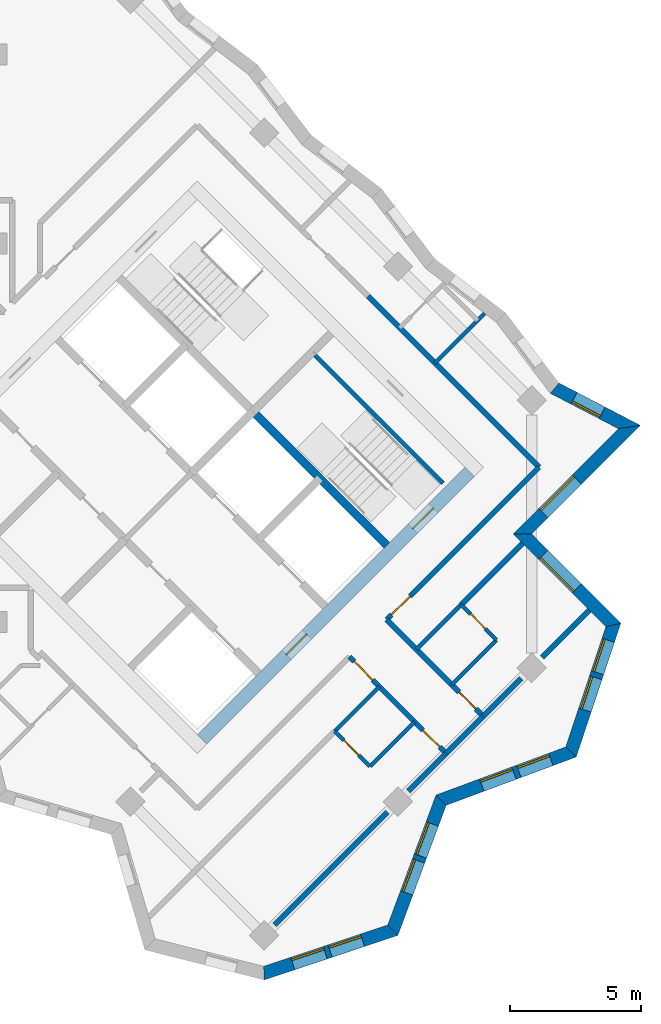
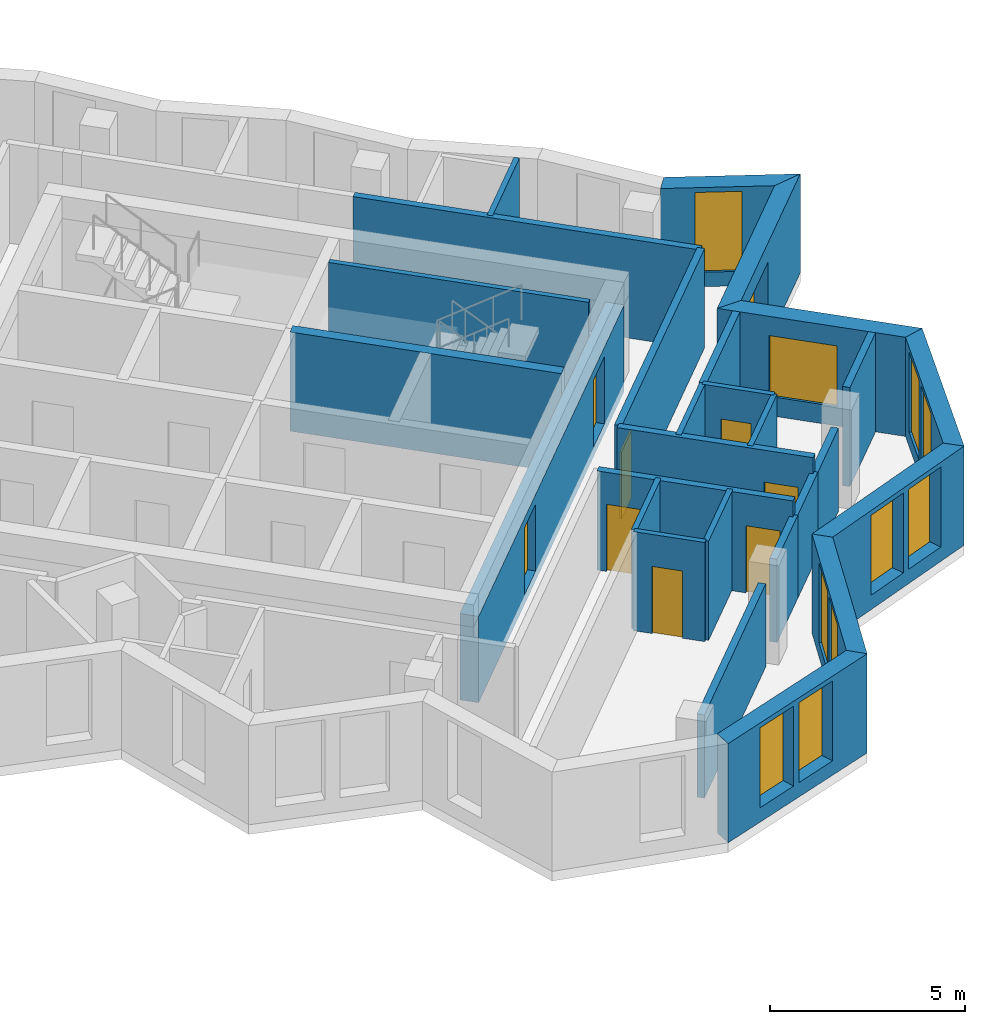
# One storey, part 8 of 12: 27 walls, 11 windows, 8 doors, 19 openings.
"""IFC4 building model written with IfcOpenShell, lengths in metres."""

from ifc_helpers import new_model, si_unit, direction, frame, frame_2d, origin, place, context, subcontext, project, spatial, polyline, rectangle, outline, extrude, material, layer, layer_set, type_object, element, fill, save


model = new_model("IFC4")

# Units and contexts
model_context = context("Model", 3, precision=1e-05, world=origin(), true_north=direction((0.0, 1.0)))
body_context = subcontext(model_context, "Body", "Model", "MODEL_VIEW")
ifc_project = project(units=[si_unit("LENGTHUNIT", "METRE"), si_unit("AREAUNIT", "SQUARE_METRE"), si_unit("VOLUMEUNIT", "CUBIC_METRE"), si_unit("PLANEANGLEUNIT", "RADIAN"), si_unit("MASSUNIT", "GRAM", prefix="KILO")], contexts=[model_context])

# Site, building, storey
site_placement = place(None, origin())
site = spatial("IfcSite", under=ifc_project, at=site_placement, CompositionType="ELEMENT")
building_placement = place(site_placement, origin())
building = spatial("IfcBuilding", under=site, at=building_placement, Name="Windrow Commons", CompositionType="ELEMENT")
storey_placement = place(building_placement, frame((0.0, 0.0, 206.6)))
storey = spatial("IfcBuildingStorey", under=building, at=storey_placement, Name="L56", CompositionType="ELEMENT", Elevation=206.6)

# Wall, openings, windows
ifc_material_1 = material(Name="Brick masonry, red clay brick", Category="masonry")
ifc_layer_1 = layer(ifc_material_1, 0.5)
ifc_layer_set_1 = layer_set([ifc_layer_1], Name="Brick facade wall 500")
wall_type_1 = type_object("IfcWallType", Name="Brick facade wall 500", PredefinedType="SOLIDWALL", material=ifc_layer_set_1)
wall_1_placement = place(storey_placement, frame((89.3726, 29.8339, 0.0), z_axis=(0.0, 0.0, 1.0), x_axis=(0.9486871637, 0.3162161688, 0.0)))
wall_1 = element("IfcWall", 1, at=wall_1_placement, inside=storey, type_object=wall_type_1, Name="Brick facade wall L56 1", PredefinedType="SOLIDWALL", context=body_context, shape_type="SweptSolid", body=[
    extrude(outline(polyline([(-0.0731, -0.25), (5.2934, -0.25), (5.0539, 0.25), (0.0731, 0.25), (-0.0731, -0.25)])), origin(), (0.0, 0.0, 1.0), 3.1),
])
opening_1_placement = place(wall_1_placement, frame((1.1587, 0.0, 0.45)))
opening_1 = element("IfcOpeningElement", 2, at=opening_1_placement, cuts=wall_1, Name="Opening W1Q", PredefinedType="OPENING", context=body_context, shape_type="SweptSolid", body=[
    extrude(rectangle(XDim=1.3, YDim=2.5, at=frame_2d((0.65, 1.25))), frame((0.0, 0.26, 0.0), z_axis=(0.0, -1.0, 0.0), x_axis=(1.0, 0.0, 0.0)), (0.0, 0.0, 1.0), 0.52),
])
opening_2_placement = place(wall_1_placement, frame((2.6587, 0.0, 0.45)))
opening_2 = element("IfcOpeningElement", 3, at=opening_2_placement, cuts=wall_1, Name="Opening W1Q", PredefinedType="OPENING", context=body_context, shape_type="SweptSolid", body=[
    extrude(rectangle(XDim=1.3, YDim=2.5, at=frame_2d((0.65, 1.25))), frame((0.0, 0.26, 0.0), z_axis=(0.0, -1.0, 0.0), x_axis=(1.0, 0.0, 0.0)), (0.0, 0.0, 1.0), 0.52),
])
ifc_material_2 = material(Name="Clear float glass in anodised aluminium frame", Category="aluminium")
window_type_1 = type_object("IfcWindowType", Name="Window W1Q pair 1300x2500", PartitioningType="SINGLE_PANEL", PredefinedType="WINDOW", material=ifc_material_2)
window_1_placement = place(opening_1_placement, origin())
window_1 = element("IfcWindow", 4, at=window_1_placement, inside=storey, type_object=window_type_1, Name="Window L56 1.1A", OverallHeight=2.5, OverallWidth=1.3, PartitioningType="SINGLE_PANEL", PredefinedType="WINDOW", context=body_context, shape_type="SweptSolid", body=[
    extrude(rectangle(XDim=1.3, YDim=2.5, at=frame_2d((0.65, 1.25))), frame((0.0, 0.18, 0.0), z_axis=(0.0, -1.0, 0.0), x_axis=(1.0, 0.0, 0.0)), (0.0, 0.0, 1.0), 0.06),
])
fill(opening_1, window_1)
window_2_placement = place(opening_2_placement, origin())
window_2 = element("IfcWindow", 5, at=window_2_placement, inside=storey, type_object=window_type_1, Name="Window L56 1.1B", OverallHeight=2.5, OverallWidth=1.3, PartitioningType="SINGLE_PANEL", PredefinedType="WINDOW", context=body_context, shape_type="SweptSolid", body=[
    extrude(rectangle(XDim=1.3, YDim=2.5, at=frame_2d((0.65, 1.25))), frame((0.0, 0.18, 0.0), z_axis=(0.0, -1.0, 0.0), x_axis=(1.0, 0.0, 0.0)), (0.0, 0.0, 1.0), 0.06),
])
fill(opening_2, window_2)

wall_2_placement = place(storey_placement, frame((94.2808, 31.4699, 0.0), z_axis=(0.0, 0.0, 1.0), x_axis=(0.3481903374, 0.9374238577, 0.0)))
wall_2 = element("IfcWall", 6, at=wall_2_placement, inside=storey, type_object=wall_type_1, Name="Brick facade wall L56 2", PredefinedType="SOLIDWALL", context=body_context, shape_type="SweptSolid", body=[
    extrude(outline(polyline([(-0.1197, -0.25), (5.1604, -0.25), (5.3896, 0.25), (0.1197, 0.25), (-0.1197, -0.25)])), origin(), (0.0, 0.0, 1.0), 3.1),
])
opening_3_placement = place(wall_2_placement, frame((1.5123, 0.0, 0.45)))
opening_3 = element("IfcOpeningElement", 7, at=opening_3_placement, cuts=wall_2, Name="Opening W1Q", PredefinedType="OPENING", context=body_context, shape_type="SweptSolid", body=[
    extrude(rectangle(XDim=1.3, YDim=2.5, at=frame_2d((0.65, 1.25))), frame((0.0, 0.26, 0.0), z_axis=(0.0, -1.0, 0.0), x_axis=(1.0, 0.0, 0.0)), (0.0, 0.0, 1.0), 0.52),
])
opening_4_placement = place(wall_2_placement, frame((3.0123, 0.0, 0.45)))
opening_4 = element("IfcOpeningElement", 8, at=opening_4_placement, cuts=wall_2, Name="Opening W1Q", PredefinedType="OPENING", context=body_context, shape_type="SweptSolid", body=[
    extrude(rectangle(XDim=1.3, YDim=2.5, at=frame_2d((0.65, 1.25))), frame((0.0, 0.26, 0.0), z_axis=(0.0, -1.0, 0.0), x_axis=(1.0, 0.0, 0.0)), (0.0, 0.0, 1.0), 0.52),
])
window_3_placement = place(opening_3_placement, origin())
window_3 = element("IfcWindow", 9, at=window_3_placement, inside=storey, type_object=window_type_1, Name="Window L56 2.1A", OverallHeight=2.5, OverallWidth=1.3, PartitioningType="SINGLE_PANEL", PredefinedType="WINDOW", context=body_context, shape_type="SweptSolid", body=[
    extrude(rectangle(XDim=1.3, YDim=2.5, at=frame_2d((0.65, 1.25))), frame((0.0, 0.18, 0.0), z_axis=(0.0, -1.0, 0.0), x_axis=(1.0, 0.0, 0.0)), (0.0, 0.0, 1.0), 0.06),
])
fill(opening_3, window_3)
window_4_placement = place(opening_4_placement, origin())
window_4 = element("IfcWindow", 10, at=window_4_placement, inside=storey, type_object=window_type_1, Name="Window L56 2.1B", OverallHeight=2.5, OverallWidth=1.3, PartitioningType="SINGLE_PANEL", PredefinedType="WINDOW", context=body_context, shape_type="SweptSolid", body=[
    extrude(rectangle(XDim=1.3, YDim=2.5, at=frame_2d((0.65, 1.25))), frame((0.0, 0.18, 0.0), z_axis=(0.0, -1.0, 0.0), x_axis=(1.0, 0.0, 0.0)), (0.0, 0.0, 1.0), 0.06),
])
fill(opening_4, window_4)

wall_3_placement = place(storey_placement, frame((96.1175, 36.4148, 0.0), z_axis=(0.0, 0.0, 1.0), x_axis=(0.9374238577, 0.3481903374, 0.0)))
wall_3 = element("IfcWall", 11, at=wall_3_placement, inside=storey, type_object=wall_type_1, Name="Brick facade wall L56 3", PredefinedType="SOLIDWALL", context=body_context, shape_type="SweptSolid", body=[
    extrude(outline(polyline([(0.1146, -0.25), (5.3947, -0.25), (5.1552, 0.25), (-0.1146, 0.25), (0.1146, -0.25)])), origin(), (0.0, 0.0, 1.0), 3.1),
])
opening_5_placement = place(wall_3_placement, frame((1.655, 0.0, 0.45)))
opening_5 = element("IfcOpeningElement", 12, at=opening_5_placement, cuts=wall_3, Name="Opening W1Q", PredefinedType="OPENING", context=body_context, shape_type="SweptSolid", body=[
    extrude(rectangle(XDim=1.3, YDim=2.5, at=frame_2d((0.65, 1.25))), frame((0.0, 0.26, 0.0), z_axis=(0.0, -1.0, 0.0), x_axis=(1.0, 0.0, 0.0)), (0.0, 0.0, 1.0), 0.52),
])
opening_6_placement = place(wall_3_placement, frame((3.155, 0.0, 0.45)))
opening_6 = element("IfcOpeningElement", 13, at=opening_6_placement, cuts=wall_3, Name="Opening W1Q", PredefinedType="OPENING", context=body_context, shape_type="SweptSolid", body=[
    extrude(rectangle(XDim=1.3, YDim=2.5, at=frame_2d((0.65, 1.25))), frame((0.0, 0.26, 0.0), z_axis=(0.0, -1.0, 0.0), x_axis=(1.0, 0.0, 0.0)), (0.0, 0.0, 1.0), 0.52),
])
window_5_placement = place(opening_5_placement, origin())
window_5 = element("IfcWindow", 14, at=window_5_placement, inside=storey, type_object=window_type_1, Name="Window L56 3.1A", OverallHeight=2.5, OverallWidth=1.3, PartitioningType="SINGLE_PANEL", PredefinedType="WINDOW", context=body_context, shape_type="SweptSolid", body=[
    extrude(rectangle(XDim=1.3, YDim=2.5, at=frame_2d((0.65, 1.25))), frame((0.0, 0.18, 0.0), z_axis=(0.0, -1.0, 0.0), x_axis=(1.0, 0.0, 0.0)), (0.0, 0.0, 1.0), 0.06),
])
fill(opening_5, window_5)
window_6_placement = place(opening_6_placement, origin())
window_6 = element("IfcWindow", 15, at=window_6_placement, inside=storey, type_object=window_type_1, Name="Window L56 3.1B", OverallHeight=2.5, OverallWidth=1.3, PartitioningType="SINGLE_PANEL", PredefinedType="WINDOW", context=body_context, shape_type="SweptSolid", body=[
    extrude(rectangle(XDim=1.3, YDim=2.5, at=frame_2d((0.65, 1.25))), frame((0.0, 0.18, 0.0), z_axis=(0.0, -1.0, 0.0), x_axis=(1.0, 0.0, 0.0)), (0.0, 0.0, 1.0), 0.06),
])
fill(opening_6, window_6)

wall_4_placement = place(storey_placement, frame((101.0624, 38.2515, 0.0), z_axis=(0.0, 0.0, 1.0), x_axis=(0.3162395484, 0.9486793705, 0.0)))
wall_4 = element("IfcWall", 16, at=wall_4_placement, inside=storey, type_object=wall_type_1, Name="Brick facade wall L56 4", PredefinedType="SOLIDWALL", context=body_context, shape_type="SweptSolid", body=[
    extrude(outline(polyline([(-0.1197, -0.25), (5.2468, -0.25), (4.9378, 0.25), (0.1197, 0.25), (-0.1197, -0.25)])), origin(), (0.0, 0.0, 1.0), 3.1),
])
opening_7_placement = place(wall_4_placement, frame((1.6796, 0.0, 0.45)))
opening_7 = element("IfcOpeningElement", 17, at=opening_7_placement, cuts=wall_4, Name="Opening W1Q", PredefinedType="OPENING", context=body_context, shape_type="SweptSolid", body=[
    extrude(rectangle(XDim=1.3, YDim=2.5, at=frame_2d((0.65, 1.25))), frame((0.0, 0.26, 0.0), z_axis=(0.0, -1.0, 0.0), x_axis=(1.0, 0.0, 0.0)), (0.0, 0.0, 1.0), 0.52),
])
opening_8_placement = place(wall_4_placement, frame((3.1796, 0.0, 0.45)))
opening_8 = element("IfcOpeningElement", 18, at=opening_8_placement, cuts=wall_4, Name="Opening W1Q", PredefinedType="OPENING", context=body_context, shape_type="SweptSolid", body=[
    extrude(rectangle(XDim=1.3, YDim=2.5, at=frame_2d((0.65, 1.25))), frame((0.0, 0.26, 0.0), z_axis=(0.0, -1.0, 0.0), x_axis=(1.0, 0.0, 0.0)), (0.0, 0.0, 1.0), 0.52),
])
window_7_placement = place(opening_7_placement, origin())
window_7 = element("IfcWindow", 19, at=window_7_placement, inside=storey, type_object=window_type_1, Name="Window L56 4.1A", OverallHeight=2.5, OverallWidth=1.3, PartitioningType="SINGLE_PANEL", PredefinedType="WINDOW", context=body_context, shape_type="SweptSolid", body=[
    extrude(rectangle(XDim=1.3, YDim=2.5, at=frame_2d((0.65, 1.25))), frame((0.0, 0.18, 0.0), z_axis=(0.0, -1.0, 0.0), x_axis=(1.0, 0.0, 0.0)), (0.0, 0.0, 1.0), 0.06),
])
fill(opening_7, window_7)
window_8_placement = place(opening_8_placement, origin())
window_8 = element("IfcWindow", 20, at=window_8_placement, inside=storey, type_object=window_type_1, Name="Window L56 4.1B", OverallHeight=2.5, OverallWidth=1.3, PartitioningType="SINGLE_PANEL", PredefinedType="WINDOW", context=body_context, shape_type="SweptSolid", body=[
    extrude(rectangle(XDim=1.3, YDim=2.5, at=frame_2d((0.65, 1.25))), frame((0.0, 0.18, 0.0), z_axis=(0.0, -1.0, 0.0), x_axis=(1.0, 0.0, 0.0)), (0.0, 0.0, 1.0), 0.06),
])
fill(opening_8, window_8)

# Wall, opening, window
wall_5_placement = place(storey_placement, frame((102.6728, 43.0825, 0.0), z_axis=(0.0, 0.0, 1.0), x_axis=(-0.7071067812, 0.7071067812, 0.0)))
wall_5 = element("IfcWall", 21, at=wall_5_placement, inside=storey, type_object=wall_type_1, Name="Brick facade wall L56 5", PredefinedType="SOLIDWALL", context=body_context, shape_type="SweptSolid", body=[
    extrude(outline(polyline([(-0.1545, -0.25), (4.6455, -0.25), (5.1455, 0.25), (0.1545, 0.25), (-0.1545, -0.25)])), origin(), (0.0, 0.0, 1.0), 3.1),
])
opening_9_placement = place(wall_5_placement, frame((1.9705, 0.0, 0.6)))
opening_9 = element("IfcOpeningElement", 22, at=opening_9_placement, cuts=wall_5, Name="Opening W1L", PredefinedType="OPENING", context=body_context, shape_type="SweptSolid", body=[
    extrude(rectangle(XDim=1.8, YDim=1.9, at=frame_2d((0.9, 0.95))), frame((0.0, 0.26, 0.0), z_axis=(0.0, -1.0, 0.0), x_axis=(1.0, 0.0, 0.0)), (0.0, 0.0, 1.0), 0.52),
])
ifc_material_3 = material(Name="Clear float glass in anodised aluminium frame", Category="aluminium")
window_type_2 = type_object("IfcWindowType", Name="Window W1L bedroom 1800x1900", PartitioningType="SINGLE_PANEL", PredefinedType="WINDOW", material=ifc_material_3)
window_9_placement = place(opening_9_placement, origin())
window_9 = element("IfcWindow", 23, at=window_9_placement, inside=storey, type_object=window_type_2, Name="Window L56 5.1", OverallHeight=1.9, OverallWidth=1.8, PartitioningType="SINGLE_PANEL", PredefinedType="WINDOW", context=body_context, shape_type="SweptSolid", body=[
    extrude(rectangle(XDim=1.8, YDim=1.9, at=frame_2d((0.9, 0.95))), frame((0.0, 0.18, 0.0), z_axis=(0.0, -1.0, 0.0), x_axis=(1.0, 0.0, 0.0)), (0.0, 0.0, 1.0), 0.06),
])
fill(opening_9, window_9)

wall_6_placement = place(storey_placement, frame((99.2111, 46.5442, 0.0), z_axis=(0.0, 0.0, 1.0), x_axis=(0.7071067812, 0.7071067812, 0.0)))
wall_6 = element("IfcWall", 24, at=wall_6_placement, inside=storey, type_object=wall_type_1, Name="Brick facade wall L56 6", PredefinedType="SOLIDWALL", context=body_context, shape_type="SweptSolid", body=[
    extrude(outline(polyline([(0.25, -0.25), (6.101, -0.25), (5.4191, 0.25), (-0.25, 0.25), (0.25, -0.25)])), origin(), (0.0, 0.0, 1.0), 3.1),
])
opening_10_placement = place(wall_6_placement, frame((1.125, 0.0, 0.6)))
opening_10 = element("IfcOpeningElement", 25, at=opening_10_placement, cuts=wall_6, Name="Opening W1L", PredefinedType="OPENING", context=body_context, shape_type="SweptSolid", body=[
    extrude(rectangle(XDim=1.8, YDim=1.9, at=frame_2d((0.9, 0.95))), frame((0.0, 0.26, 0.0), z_axis=(0.0, -1.0, 0.0), x_axis=(1.0, 0.0, 0.0)), (0.0, 0.0, 1.0), 0.52),
])
window_10_placement = place(opening_10_placement, origin())
window_10 = element("IfcWindow", 26, at=window_10_placement, inside=storey, type_object=window_type_2, Name="Window L56 6.1", OverallHeight=1.9, OverallWidth=1.8, PartitioningType="SINGLE_PANEL", PredefinedType="WINDOW", context=body_context, shape_type="SweptSolid", body=[
    extrude(rectangle(XDim=1.8, YDim=1.9, at=frame_2d((0.9, 0.95))), frame((0.0, 0.18, 0.0), z_axis=(0.0, -1.0, 0.0), x_axis=(1.0, 0.0, 0.0)), (0.0, 0.0, 1.0), 0.06),
])
fill(opening_10, window_10)

wall_7_placement = place(storey_placement, frame((103.2841, 50.6172, 0.0), z_axis=(0.0, 0.0, 1.0), x_axis=(-0.8870249402, 0.4617215129, 0.0)))
wall_7 = element("IfcWall", 27, at=wall_7_placement, inside=storey, type_object=wall_type_1, Name="Brick facade wall L56 7", PredefinedType="SOLIDWALL", context=body_context, shape_type="SweptSolid", body=[
    extrude(outline(polyline([(-0.341, -0.25), (3.154, -0.25), (3.2658, 0.25), (0.341, 0.25), (-0.341, -0.25)])), origin(), (0.0, 0.0, 1.0), 3.1),
])
opening_11_placement = place(wall_7_placement, frame((1.1755, 0.0, 0.45)))
opening_11 = element("IfcOpeningElement", 28, at=opening_11_placement, cuts=wall_7, Name="Opening W7E", PredefinedType="OPENING", context=body_context, shape_type="SweptSolid", body=[
    extrude(rectangle(XDim=1.2, YDim=2.5, at=frame_2d((0.6, 1.25))), frame((0.0, 0.26, 0.0), z_axis=(0.0, -1.0, 0.0), x_axis=(1.0, 0.0, 0.0)), (0.0, 0.0, 1.0), 0.52),
])
ifc_material_4 = material(Name="Clear float glass in anodised aluminium frame", Category="aluminium")
window_type_3 = type_object("IfcWindowType", Name="Window W7 notch 1200x2500", PartitioningType="SINGLE_PANEL", PredefinedType="WINDOW", material=ifc_material_4)
window_11_placement = place(opening_11_placement, origin())
window_11 = element("IfcWindow", 29, at=window_11_placement, inside=storey, type_object=window_type_3, Name="Window L56 7.1", OverallHeight=2.5, OverallWidth=1.2, PartitioningType="SINGLE_PANEL", PredefinedType="WINDOW", context=body_context, shape_type="SweptSolid", body=[
    extrude(rectangle(XDim=1.2, YDim=2.5, at=frame_2d((0.6, 1.25))), frame((0.0, 0.18, 0.0), z_axis=(0.0, -1.0, 0.0), x_axis=(1.0, 0.0, 0.0)), (0.0, 0.0, 1.0), 0.06),
])
fill(opening_11, window_11)

# Wall
ifc_material_5 = material(Name="Blockwork partition", Category="masonry")
ifc_layer_2 = layer(ifc_material_5, 0.2)
ifc_layer_set_2 = layer_set([ifc_layer_2], Name="IW-CORRIDOR-200")
wall_type_2 = type_object("IfcWallType", Name="IW-CORRIDOR-200", PredefinedType="PARTITIONING", material=ifc_layer_set_2)
wall_8_placement = place(storey_placement, frame((93.3455, 55.5995, 0.0), z_axis=(0.0, 0.0, 1.0), x_axis=(0.7071067812, -0.7071067812, 0.0)))
element("IfcWall", 30, at=wall_8_placement, inside=storey, type_object=wall_type_2, Name="W-L56-W007", PredefinedType="PARTITIONING", context=body_context, shape_type="SweptSolid", body=[
    extrude(rectangle(XDim=9.2009, YDim=0.2, at=frame_2d((4.6005, 0.0))), origin(), (0.0, 0.0, 1.0), 3.1),
])

# Wall, opening, door
wall_9_placement = place(storey_placement, frame((94.0491, 43.2929, 0.0), z_axis=(0.0, 0.0, 1.0), x_axis=(0.7071067812, 0.7071067812, 0.0)))
wall_9 = element("IfcWall", 31, at=wall_9_placement, inside=storey, type_object=wall_type_2, Name="W-L56-W008", PredefinedType="PARTITIONING", context=body_context, shape_type="SweptSolid", body=[
    extrude(rectangle(XDim=8.1996, YDim=0.2, at=frame_2d((4.0998, 0.0))), origin(), (0.0, 0.0, 1.0), 3.1),
])
opening_12_placement = place(wall_9_placement, frame((0.2523, 0.0, 0.0)))
opening_12 = element("IfcOpeningElement", 32, at=opening_12_placement, cuts=wall_9, Name="Opening D310F", PredefinedType="OPENING", context=body_context, shape_type="SweptSolid", body=[
    extrude(rectangle(XDim=1.0, YDim=2.1, at=frame_2d((0.5, 1.05))), frame((0.0, 0.11, 0.0), z_axis=(0.0, -1.0, 0.0), x_axis=(1.0, 0.0, 0.0)), (0.0, 0.0, 1.0), 0.22),
])
ifc_material_6 = material(Name="Timber door leaf", Category="wood")
door_type_1 = type_object("IfcDoorType", Name="DT-AMENITY-1000", OperationType="SINGLE_SWING_LEFT", PredefinedType="DOOR", material=ifc_material_6)
door_1_placement = place(opening_12_placement, origin())
door_1 = element("IfcDoor", 33, at=door_1_placement, inside=storey, type_object=door_type_1, Name="D-L56-D036", OperationType="SINGLE_SWING_RIGHT", OverallHeight=2.1, OverallWidth=1.0, PredefinedType="DOOR", context=body_context, shape_type="SweptSolid", body=[
    extrude(rectangle(XDim=1.0, YDim=2.1, at=frame_2d((0.5, 1.05))), frame((0.0, 0.025, 0.0), z_axis=(0.0, -1.0, 0.0), x_axis=(1.0, 0.0, 0.0)), (0.0, 0.0, 1.0), 0.05),
])
fill(opening_12, door_1)

wall_10_placement = place(storey_placement, frame((94.0471, 43.2871, 0.0), z_axis=(0.0, 0.0, 1.0), x_axis=(0.7071067812, -0.7071067812, 0.0)))
wall_10 = element("IfcWall", 34, at=wall_10_placement, inside=storey, type_object=wall_type_2, Name="W-L56-W033", PredefinedType="PARTITIONING", context=body_context, shape_type="SweptSolid", body=[
    extrude(rectangle(XDim=5.1986, YDim=0.2, at=frame_2d((2.5993, 0.0))), origin(), (0.0, 0.0, 1.0), 3.1),
])
opening_13_placement = place(wall_10_placement, frame((3.8984, 0.0, 0.0)))
opening_13 = element("IfcOpeningElement", 35, at=opening_13_placement, cuts=wall_10, Name="Opening D109S", PredefinedType="OPENING", context=body_context, shape_type="SweptSolid", body=[
    extrude(rectangle(XDim=0.9, YDim=2.1, at=frame_2d((0.45, 1.05))), frame((0.0, 0.11, 0.0), z_axis=(0.0, -1.0, 0.0), x_axis=(1.0, 0.0, 0.0)), (0.0, 0.0, 1.0), 0.22),
])
ifc_material_7 = material(Name="Timber door leaf", Category="wood")
door_type_2 = type_object("IfcDoorType", Name="DT-BEDROOM-900", OperationType="SINGLE_SWING_LEFT", PredefinedType="DOOR", material=ifc_material_7)
door_2_placement = place(opening_13_placement, origin())
door_2 = element("IfcDoor", 36, at=door_2_placement, inside=storey, type_object=door_type_2, Name="D-L56-D044", OperationType="SINGLE_SWING_RIGHT", OverallHeight=2.1, OverallWidth=0.9, PredefinedType="DOOR", context=body_context, shape_type="SweptSolid", body=[
    extrude(rectangle(XDim=0.9, YDim=2.1, at=frame_2d((0.45, 1.05))), frame((0.0, 0.025, 0.0), z_axis=(0.0, -1.0, 0.0), x_axis=(1.0, 0.0, 0.0)), (0.0, 0.0, 1.0), 0.05),
])
fill(opening_13, door_2)

# Wall, openings, doors
wall_11_placement = place(storey_placement, frame((92.6329, 41.8729, 0.0), z_axis=(0.0, 0.0, 1.0), x_axis=(0.7071067812, -0.7071067812, 0.0)))
wall_11 = element("IfcWall", 37, at=wall_11_placement, inside=storey, type_object=wall_type_2, Name="W-L56-W034", PredefinedType="PARTITIONING", context=body_context, shape_type="SweptSolid", body=[
    extrude(rectangle(XDim=5.1986, YDim=0.2, at=frame_2d((2.5993, 0.0))), origin(), (0.0, 0.0, 1.0), 3.1),
])
opening_14_placement = place(wall_11_placement, frame((0.253, 0.0, 0.0)))
opening_14 = element("IfcOpeningElement", 38, at=opening_14_placement, cuts=wall_11, Name="Opening D310F", PredefinedType="OPENING", context=body_context, shape_type="SweptSolid", body=[
    extrude(rectangle(XDim=1.0, YDim=2.1, at=frame_2d((0.5, 1.05))), frame((0.0, 0.11, 0.0), z_axis=(0.0, -1.0, 0.0), x_axis=(1.0, 0.0, 0.0)), (0.0, 0.0, 1.0), 0.22),
])
opening_15_placement = place(wall_11_placement, frame((3.9484, 0.0, 0.0)))
opening_15 = element("IfcOpeningElement", 39, at=opening_15_placement, cuts=wall_11, Name="Opening D109S", PredefinedType="OPENING", context=body_context, shape_type="SweptSolid", body=[
    extrude(rectangle(XDim=0.9, YDim=2.1, at=frame_2d((0.45, 1.05))), frame((0.0, 0.11, 0.0), z_axis=(0.0, -1.0, 0.0), x_axis=(1.0, 0.0, 0.0)), (0.0, 0.0, 1.0), 0.22),
])
door_3_placement = place(opening_14_placement, origin())
door_3 = element("IfcDoor", 40, at=door_3_placement, inside=storey, type_object=door_type_1, Name="D-L56-D041", OperationType="SINGLE_SWING_RIGHT", OverallHeight=2.1, OverallWidth=1.0, PredefinedType="DOOR", context=body_context, shape_type="SweptSolid", body=[
    extrude(rectangle(XDim=1.0, YDim=2.1, at=frame_2d((0.5, 1.05))), frame((0.0, 0.025, 0.0), z_axis=(0.0, -1.0, 0.0), x_axis=(1.0, 0.0, 0.0)), (0.0, 0.0, 1.0), 0.05),
])
fill(opening_14, door_3)
door_4_placement = place(opening_15_placement, origin())
door_4 = element("IfcDoor", 41, at=door_4_placement, inside=storey, type_object=door_type_2, Name="D-L56-D042", OperationType="SINGLE_SWING_LEFT", OverallHeight=2.1, OverallWidth=0.9, PredefinedType="DOOR", context=body_context, shape_type="SweptSolid", body=[
    extrude(rectangle(XDim=0.9, YDim=2.1, at=frame_2d((0.45, 1.05))), frame((0.0, 0.025, 0.0), z_axis=(0.0, -1.0, 0.0), x_axis=(1.0, 0.0, 0.0)), (0.0, 0.0, 1.0), 0.05),
])
fill(opening_15, door_4)

# Walls
wall_12_placement = place(storey_placement, frame((96.311, 38.201, 0.0), z_axis=(0.0, 0.0, 1.0), x_axis=(0.7071067812, 0.7071067812, 0.0)))
element("IfcWall", 42, at=wall_12_placement, inside=storey, type_object=wall_type_2, Name="W-L56-W103", PredefinedType="PARTITIONING", context=body_context, shape_type="SweptSolid", body=[
    extrude(rectangle(XDim=1.9997, YDim=0.2, at=frame_2d((0.9999, 0.0))), origin(), (0.0, 0.0, 1.0), 2.6),
])
ifc_material_8 = material(Name="Blockwork partition", Category="masonry")
ifc_layer_3 = layer(ifc_material_8, 0.15)
ifc_layer_set_3 = layer_set([ifc_layer_3], Name="IW-ENSUITE-150")
wall_type_3 = type_object("IfcWallType", Name="IW-ENSUITE-150", PredefinedType="PARTITIONING", material=ifc_layer_set_3)
wall_13_placement = place(storey_placement, frame((95.8873, 53.0507, 0.0), z_axis=(0.0, 0.0, 1.0), x_axis=(0.7070880799, 0.707125482, 0.0)))
element("IfcWall", 43, at=wall_13_placement, inside=storey, type_object=wall_type_3, Name="W-L56-W054", PredefinedType="PARTITIONING", context=body_context, shape_type="SweptSolid", body=[
    extrude(rectangle(XDim=2.6736, YDim=0.15, at=frame_2d((1.3368, 0.0))), origin(), (0.0, 0.0, 1.0), 3.1),
])
for number, where, z_axis, x_axis, name in (
    (44, (96.5229, 40.8171, 0.0), (0.0, 0.0, 1.0), (0.7071067812, 0.7071067812, 0.0), "W-L56-W059"),
    (45, (95.1794, 42.1606, 0.0), (0.0, 0.0, 1.0), (0.7071067812, 0.7071067812, 0.0), "W-L56-W060"),
):
    element("IfcWall", number, at=place(storey_placement, frame(where, z_axis=z_axis, x_axis=x_axis)), inside=storey, type_object=wall_type_3, Name=name, PredefinedType="PARTITIONING", context=body_context, shape_type="SweptSolid", body=[
        extrude(rectangle(XDim=2.4013, YDim=0.15, at=frame_2d((1.2006, 0.0))), origin(), (0.0, 0.0, 1.0), 3.1),
    ])
for number, where, z_axis, x_axis, name in (
    (46, (92.0722, 39.0458, 0.0), (0.0, 0.0, 1.0), (0.706689978, 0.7075233388, 0.0), "W-L56-W081"),
    (47, (93.4152, 37.7028, 0.0), (0.0, 0.0, 1.0), (0.7075233388, 0.706689978, 0.0), "W-L56-W082"),
):
    element("IfcWall", number, at=place(storey_placement, frame(where, z_axis=z_axis, x_axis=x_axis)), inside=storey, type_object=wall_type_3, Name=name, PredefinedType="PARTITIONING", context=body_context, shape_type="SweptSolid", body=[
        extrude(rectangle(XDim=2.3999, YDim=0.15, at=frame_2d((1.2, 0.0))), origin(), (0.0, 0.0, 1.0), 3.1),
    ])

# Wall, opening, door
wall_14_placement = place(storey_placement, frame((96.8813, 43.8613, 0.0), z_axis=(0.0, 0.0, 1.0), x_axis=(0.7071067812, -0.7071067812, 0.0)))
wall_14 = element("IfcWall", 48, at=wall_14_placement, inside=storey, type_object=wall_type_3, Name="W-L56-W106", PredefinedType="PARTITIONING", context=body_context, shape_type="SweptSolid", body=[
    extrude(rectangle(XDim=1.9007, YDim=0.15, at=frame_2d((0.9504, 0.0))), origin(), (0.0, 0.0, 1.0), 3.1),
])
opening_16_placement = place(wall_14_placement, frame((0.5053, 0.0, 0.0)))
opening_16 = element("IfcOpeningElement", 49, at=opening_16_placement, cuts=wall_14, Name="Opening D208N", PredefinedType="OPENING", context=body_context, shape_type="SweptSolid", body=[
    extrude(rectangle(XDim=0.8, YDim=2.1, at=frame_2d((0.4, 1.05))), frame((0.0, 0.085, 0.0), z_axis=(0.0, -1.0, 0.0), x_axis=(1.0, 0.0, 0.0)), (0.0, 0.0, 1.0), 0.17),
])
ifc_material_9 = material(Name="Timber door leaf", Category="wood")
door_type_3 = type_object("IfcDoorType", Name="DT-ENSUITE-800", OperationType="SINGLE_SWING_LEFT", PredefinedType="DOOR", material=ifc_material_9)
door_5_placement = place(opening_16_placement, origin())
door_5 = element("IfcDoor", 50, at=door_5_placement, inside=storey, type_object=door_type_3, Name="D-L56-D045", OperationType="SINGLE_SWING_RIGHT", OverallHeight=2.1, OverallWidth=0.8, PredefinedType="DOOR", context=body_context, shape_type="SweptSolid", body=[
    extrude(rectangle(XDim=0.8, YDim=2.1, at=frame_2d((0.4, 1.05))), frame((0.0, 0.025, 0.0), z_axis=(0.0, -1.0, 0.0), x_axis=(1.0, 0.0, 0.0)), (0.0, 0.0, 1.0), 0.05),
])
fill(opening_16, door_5)

wall_15_placement = place(storey_placement, frame((92.0669, 39.0449, 0.0), z_axis=(0.0, 0.0, 1.0), x_axis=(0.7071067812, -0.7071067812, 0.0)))
wall_15 = element("IfcWall", 51, at=wall_15_placement, inside=storey, type_object=wall_type_3, Name="W-L56-W114", PredefinedType="PARTITIONING", context=body_context, shape_type="SweptSolid", body=[
    extrude(rectangle(XDim=1.8979, YDim=0.15, at=frame_2d((0.9489, 0.0))), origin(), (0.0, 0.0, 1.0), 3.1),
])
opening_17_placement = place(wall_15_placement, frame((0.501, 0.0, 0.0)))
opening_17 = element("IfcOpeningElement", 52, at=opening_17_placement, cuts=wall_15, Name="Opening D208N", PredefinedType="OPENING", context=body_context, shape_type="SweptSolid", body=[
    extrude(rectangle(XDim=0.8, YDim=2.1, at=frame_2d((0.4, 1.05))), frame((0.0, 0.085, 0.0), z_axis=(0.0, -1.0, 0.0), x_axis=(1.0, 0.0, 0.0)), (0.0, 0.0, 1.0), 0.17),
])
door_6_placement = place(opening_17_placement, origin())
door_6 = element("IfcDoor", 53, at=door_6_placement, inside=storey, type_object=door_type_3, Name="D-L56-D043", OperationType="SINGLE_SWING_RIGHT", OverallHeight=2.1, OverallWidth=0.8, PredefinedType="DOOR", context=body_context, shape_type="SweptSolid", body=[
    extrude(rectangle(XDim=0.8, YDim=2.1, at=frame_2d((0.4, 1.05))), frame((0.0, 0.025, 0.0), z_axis=(0.0, -1.0, 0.0), x_axis=(1.0, 0.0, 0.0)), (0.0, 0.0, 1.0), 0.05),
])
fill(opening_17, door_6)

# Walls
ifc_material_10 = material(Name="Blockwork partition", Category="masonry")
ifc_layer_4 = layer(ifc_material_10, 0.2)
ifc_layer_set_4 = layer_set([ifc_layer_4], Name="IW-PARTY-200")
wall_type_4 = type_object("IfcWallType", Name="IW-PARTY-200", PredefinedType="PARTITIONING", material=ifc_layer_set_4)
wall_16_placement = place(storey_placement, frame((89.781, 31.671, 0.0), z_axis=(0.0, 0.0, 1.0), x_axis=(0.7071067812, 0.7071067812, 0.0)))
element("IfcWall", 54, at=wall_16_placement, inside=storey, type_object=wall_type_4, Name="W-L56-W022", PredefinedType="PARTITIONING", context=body_context, shape_type="SweptSolid", body=[
    extrude(rectangle(XDim=6.0698, YDim=0.2, at=frame_2d((3.0349, 0.0))), origin(), (0.0, 0.0, 1.0), 2.6),
])
wall_17_placement = place(storey_placement, frame((96.8801, 43.8559, 0.0), z_axis=(0.0, 0.0, 1.0), x_axis=(0.7074098182, 0.7068036142, 0.0)))
element("IfcWall", 55, at=wall_17_placement, inside=storey, type_object=wall_type_4, Name="W-L56-W050", PredefinedType="PARTITIONING", context=body_context, shape_type="SweptSolid", body=[
    extrude(rectangle(XDim=3.2992, YDim=0.2, at=frame_2d((1.6496, 0.0))), origin(), (0.0, 0.0, 1.0), 3.1),
])
wall_18_placement = place(storey_placement, frame((99.964, 41.854, 0.0), z_axis=(0.0, 0.0, 1.0), x_axis=(0.7071265121, 0.7070870497, 0.0)))
element("IfcWall", 56, at=wall_18_placement, inside=storey, type_object=wall_type_4, Name="W-L56-W058", PredefinedType="PARTITIONING", context=body_context, shape_type="SweptSolid", body=[
    extrude(rectangle(XDim=2.5341, YDim=0.2, at=frame_2d((1.2671, 0.0))), origin(), (0.0, 0.0, 1.0), 3.1),
])
wall_19_placement = place(storey_placement, frame((97.7268, 39.6132, 0.0), z_axis=(0.0, 0.0, 1.0), x_axis=(0.7066152229, 0.7075979979, 0.0)))
element("IfcWall", 57, at=wall_19_placement, inside=storey, type_object=wall_type_4, Name="W-L56-W098", PredefinedType="PARTITIONING", context=body_context, shape_type="SweptSolid", body=[
    extrude(rectangle(XDim=2.0351, YDim=0.2, at=frame_2d((1.0175, 0.0))), origin(), (0.0, 0.0, 1.0), 2.6),
])
wall_20_placement = place(storey_placement, frame((94.873, 36.763, 0.0), z_axis=(0.0, 0.0, 1.0), x_axis=(0.7071067812, 0.7071067812, 0.0)))
element("IfcWall", 58, at=wall_20_placement, inside=storey, type_object=wall_type_4, Name="W-L56-W099", PredefinedType="PARTITIONING", context=body_context, shape_type="SweptSolid", body=[
    extrude(rectangle(XDim=2.0336, YDim=0.2, at=frame_2d((1.0168, 0.0))), origin(), (0.0, 0.0, 1.0), 2.6),
])

# Wall, openings, doors
ifc_material_11 = material(Name="Concrete C40/50", Category="concrete")
ifc_layer_5 = layer(ifc_material_11, 0.5)
ifc_layer_set_5 = layer_set([ifc_layer_5], Name="RC CORE WALL 500 C40/50")
wall_type_5 = type_object("IfcWallType", Name="RC CORE WALL 500 C40/50", PredefinedType="SHEAR", material=ifc_layer_set_5)
wall_21_placement = place(storey_placement, frame((87.0135, 38.7306, -0.3), z_axis=(0.0, 0.0, 1.0), x_axis=(0.7071067812, 0.7071067812, 0.0)))
wall_21 = element("IfcWall", 59, at=wall_21_placement, inside=storey, type_object=wall_type_5, Name="Core B wall outer-E", PredefinedType="SHEAR", context=body_context, shape_type="SweptSolid", body=[
    extrude(rectangle(XDim=14.4001, YDim=0.5, at=frame_2d((7.2001, 0.0))), origin(), (0.0, 0.0, 1.0), 2.7),
])
opening_18_placement = place(wall_21_placement, frame((4.55, 0.0, 0.3)))
opening_18 = element("IfcOpeningElement", 60, at=opening_18_placement, cuts=wall_21, Name="Opening D6", PredefinedType="OPENING", context=body_context, shape_type="SweptSolid", body=[
    extrude(rectangle(XDim=1.1, YDim=2.1, at=frame_2d((0.55, 1.05))), frame((0.0, 0.26, 0.0), z_axis=(0.0, -1.0, 0.0), x_axis=(1.0, 0.0, 0.0)), (0.0, 0.0, 1.0), 0.52),
])
opening_19_placement = place(wall_21_placement, frame((11.35, 0.0, 0.3)))
opening_19 = element("IfcOpeningElement", 61, at=opening_19_placement, cuts=wall_21, Name="Opening D7", PredefinedType="OPENING", context=body_context, shape_type="SweptSolid", body=[
    extrude(rectangle(XDim=1.1, YDim=2.1, at=frame_2d((0.55, 1.05))), frame((0.0, 0.26, 0.0), z_axis=(0.0, -1.0, 0.0), x_axis=(1.0, 0.0, 0.0)), (0.0, 0.0, 1.0), 0.52),
])
ifc_material_12 = material(Name="Steel fire door leaf", Category="steel")
door_type_4 = type_object("IfcDoorType", Name="Core lobby door 1100", OperationType="SINGLE_SWING_LEFT", PredefinedType="DOOR", material=ifc_material_12)
door_7_placement = place(opening_18_placement, origin())
door_7 = element("IfcDoor", 62, at=door_7_placement, inside=storey, type_object=door_type_4, Name="Lift lobby door", OperationType="DOUBLE_DOOR_SINGLE_SWING", OverallHeight=2.1, OverallWidth=1.1, PredefinedType="DOOR", context=body_context, shape_type="SweptSolid", body=[
    extrude(rectangle(XDim=1.1, YDim=2.1, at=frame_2d((0.55, 1.05))), frame((0.0, 0.025, 0.0), z_axis=(0.0, -1.0, 0.0), x_axis=(1.0, 0.0, 0.0)), (0.0, 0.0, 1.0), 0.05),
])
fill(opening_18, door_7)
ifc_material_13 = material(Name="Steel fire door leaf", Category="steel")
door_type_5 = type_object("IfcDoorType", Name="Stair door 1100", OperationType="SINGLE_SWING_LEFT", PredefinedType="DOOR", material=ifc_material_13)
door_8_placement = place(opening_19_placement, origin())
door_8 = element("IfcDoor", 63, at=door_8_placement, inside=storey, type_object=door_type_5, Name="Stair door", OperationType="SINGLE_SWING_RIGHT", OverallHeight=2.1, OverallWidth=1.1, PredefinedType="DOOR", context=body_context, shape_type="SweptSolid", body=[
    extrude(rectangle(XDim=1.1, YDim=2.1, at=frame_2d((0.55, 1.05))), frame((0.0, 0.025, 0.0), z_axis=(0.0, -1.0, 0.0), x_axis=(1.0, 0.0, 0.0)), (0.0, 0.0, 1.0), 0.05),
])
fill(opening_19, door_8)

# Walls
ifc_material_14 = material(Name="Concrete C40/50", Category="concrete")
ifc_layer_6 = layer(ifc_material_14, 0.3)
ifc_layer_set_6 = layer_set([ifc_layer_6], Name="RC SHAFT WALL 300 C40/50")
wall_type_6 = type_object("IfcWallType", Name="RC SHAFT WALL 300 C40/50", PredefinedType="SOLIDWALL", material=ifc_layer_set_6)
wall_22_placement = place(storey_placement, frame((88.9581, 51.2111, 0.0), z_axis=(0.0, 0.0, 1.0), x_axis=(0.7070998367, -0.7071137256, 0.0)))
element("IfcWall", 64, at=wall_22_placement, inside=storey, type_object=wall_type_6, Name="Core B wall stair-S2", PredefinedType="SOLIDWALL", context=body_context, shape_type="SweptSolid", body=[
    extrude(rectangle(XDim=7.2, YDim=0.3, at=frame_2d((3.6, 0.0))), origin(), (0.0, 0.0, 1.0), 3.1),
])
ifc_material_15 = material(Name="Blockwork partition", Category="masonry")
ifc_layer_7 = layer(ifc_material_15, 0.15)
ifc_layer_set_7 = layer_set([ifc_layer_7], Name="Riser partition 150")
wall_type_7 = type_object("IfcWallType", Name="Riser partition 150", PredefinedType="PARTITIONING", material=ifc_layer_set_7)
wall_23_placement = place(storey_placement, frame((91.3127, 53.3536, 0.0), z_axis=(0.0, 0.0, 1.0), x_axis=(0.7071140275, -0.7070995348, 0.0)))
element("IfcWall", 65, at=wall_23_placement, inside=storey, type_object=wall_type_7, Name="W-core-strip-B-L56", PredefinedType="PARTITIONING", context=body_context, shape_type="SweptSolid", body=[
    extrude(rectangle(XDim=6.9, YDim=0.15, at=frame_2d((3.45, 0.0))), origin(), (0.0, 0.0, 1.0), 3.1),
])

save(model, "model.ifc")
